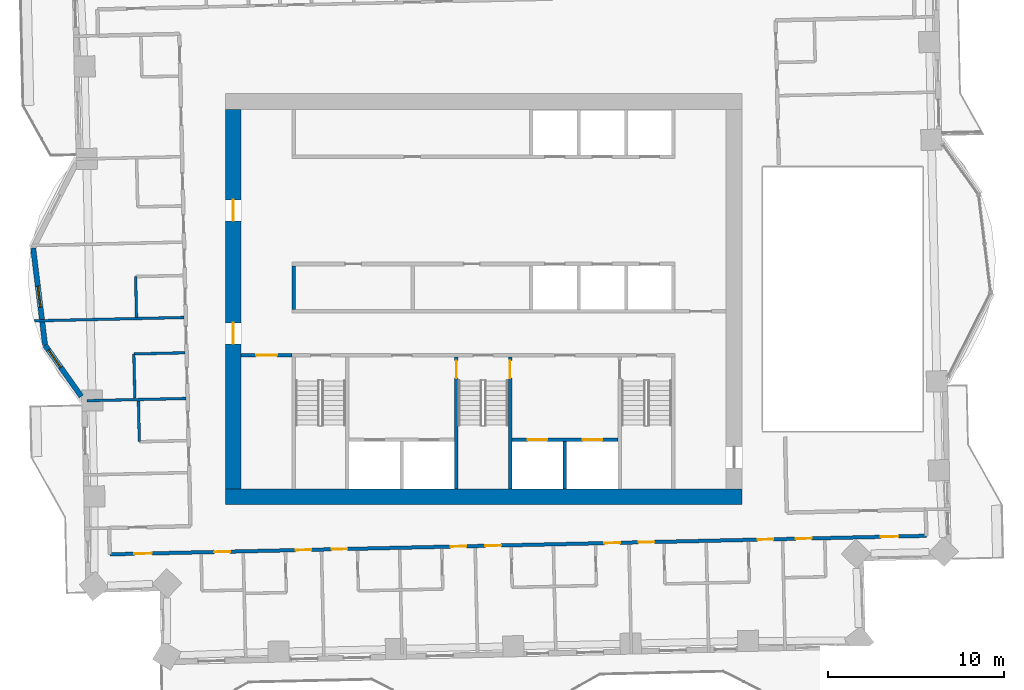
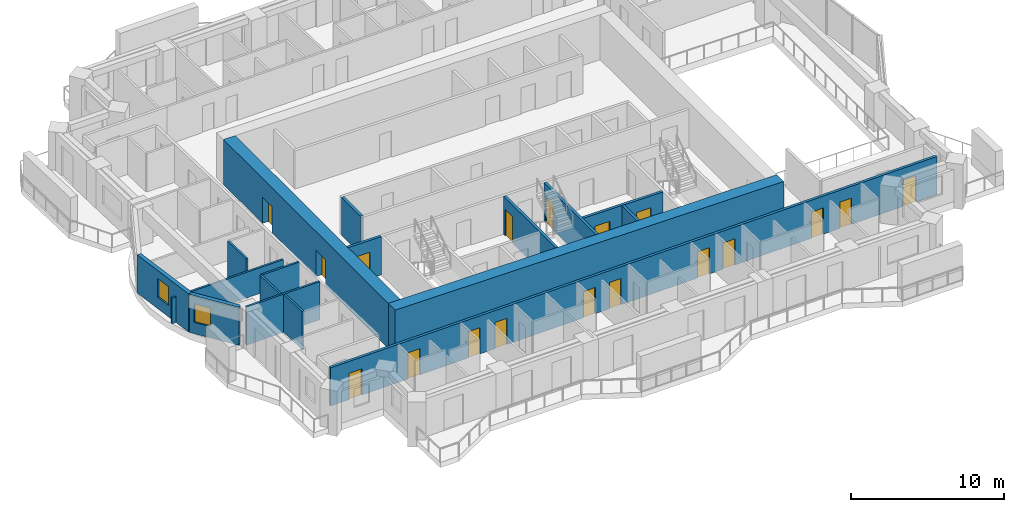
# One storey, part 5 of 14: 18 doors, 17 walls, 2 windows, 20 openings.
"""IFC4 building model written with IfcOpenShell, lengths in metres."""

from ifc_helpers import new_model, si_unit, direction, frame, frame_2d, origin, place, context, subcontext, project, spatial, rectangle, extrude, material, layer, layer_set, type_object, element, fill, save


model = new_model("IFC4")

# Units and contexts
model_context = context("Model", 3, precision=1e-05, world=origin(), true_north=direction((0.0, 1.0)))
body_context = subcontext(model_context, "Body", "Model", "MODEL_VIEW")
ifc_project = project(units=[si_unit("LENGTHUNIT", "METRE"), si_unit("AREAUNIT", "SQUARE_METRE"), si_unit("VOLUMEUNIT", "CUBIC_METRE"), si_unit("PLANEANGLEUNIT", "RADIAN"), si_unit("MASSUNIT", "GRAM", prefix="KILO")], contexts=[model_context])

# Site, building, storey
site_placement = place(None, origin())
site = spatial("IfcSite", under=ifc_project, at=site_placement, CompositionType="ELEMENT")
building_placement = place(site_placement, origin())
building = spatial("IfcBuilding", under=site, at=building_placement, Name="Mangrove Gate Tower", CompositionType="ELEMENT")
storey_placement = place(building_placement, frame((0.0, 0.0, 186.10009765625)))
storey = spatial("IfcBuildingStorey", under=building, at=storey_placement, Name="L47", CompositionType="ELEMENT", Elevation=186.10009765625)

# Wall, opening, door
ifc_material_1 = material(Name="Concrete C32/40", Category="concrete")
ifc_layer_1 = layer(ifc_material_1, 0.199951171875)
ifc_layer_set_1 = layer_set([ifc_layer_1], Name="Core lobby wall 200 C32/40")
wall_type_1 = type_object("IfcWallType", Name="Core lobby wall 200 C32/40", PredefinedType="STANDARD", material=ifc_layer_set_1)
wall_1_placement = place(storey_placement, frame((-13.800048828125, -3.199951171875, 0.0), z_axis=(0.0, 0.0, 1.0), x_axis=(1.0, 0.0, 0.0)))
wall_1 = element("IfcWall", 1, at=wall_1_placement, inside=storey, type_object=wall_type_1, Name="WALL-L47-CORE-30", PredefinedType="STANDARD", context=body_context, shape_type="SweptSolid", body=[
    extrude(rectangle(XDim=2.900146484375, YDim=0.199951171875, at=frame_2d((1.4501953125, 0.0))), origin(), (0.0, 0.0, 1.0), 3.0498046875),
])
opening_1_placement = place(wall_1_placement, frame((0.85009765625, 0.0, 0.0)))
opening_1 = element("IfcOpeningElement", 2, at=opening_1_placement, cuts=wall_1, Name="Opening FL12", PredefinedType="OPENING", context=body_context, shape_type="SweptSolid", body=[
    extrude(rectangle(XDim=1.199951171875, YDim=2.10009765625, at=frame_2d((0.60009765625, 1.050048828125))), frame((0.0, 0.10986328125, 0.0), z_axis=(0.0, -1.0, 0.0), x_axis=(1.0, 0.0, 0.0)), (0.0, 0.0, 1.0), 0.219970703125),
])
ifc_material_2 = material(Name="Fire-rated steel door set", Category="steel")
door_type_1 = type_object("IfcDoorType", Name="Lobby door FD60 1200x2100", OperationType="SINGLE_SWING_LEFT", PredefinedType="DOOR", material=ifc_material_2)
door_1_placement = place(opening_1_placement, origin())
door_1 = element("IfcDoor", 3, at=door_1_placement, inside=storey, type_object=door_type_1, Name="Lobby door core corridor W partition", OperationType="SINGLE_SWING_LEFT", OverallHeight=2.10009765625, OverallWidth=1.199951171875, PredefinedType="DOOR", context=body_context, shape_type="SweptSolid", body=[
    extrude(rectangle(XDim=1.199951171875, YDim=2.10009765625, at=frame_2d((0.60009765625, 1.050048828125))), frame((0.0, 0.02490234375, 0.0), z_axis=(0.0, -1.0, 0.0), x_axis=(1.0, 0.0, 0.0)), (0.0, 0.0, 1.0), 0.050048828125),
])
fill(opening_1, door_1)

# Wall
ifc_material_3 = material(Name="Concrete C32/40", Category="concrete")
ifc_layer_2 = layer(ifc_material_3, 0.199951171875)
ifc_layer_set_2 = layer_set([ifc_layer_2], Name="Core room wall 200 C32/40")
wall_type_2 = type_object("IfcWallType", Name="Core room wall 200 C32/40", PredefinedType="STANDARD", material=ifc_layer_set_2)
wall_2_placement = place(storey_placement, frame((-10.800048828125, -0.60009765625, 0.0), z_axis=(0.0, 0.0, 1.0), x_axis=(0.0, 1.0, 0.0)))
element("IfcWall", 4, at=wall_2_placement, inside=storey, type_object=wall_type_2, Name="WALL-L47-CORE-19", PredefinedType="STANDARD", context=body_context, shape_type="SweptSolid", body=[
    extrude(rectangle(XDim=2.5, YDim=0.199951171875, at=frame_2d((1.25, 0.0))), origin(), (0.0, 0.0, 1.0), 3.0498046875),
])

# Wall, openings, doors
ifc_material_4 = material(Name="Concrete C60/75", Category="concrete")
ifc_layer_3 = layer(ifc_material_4, 0.199951171875)
ifc_layer_set_3 = layer_set([ifc_layer_3], Name="Core shaft wall 200 C60/75")
wall_type_3 = type_object("IfcWallType", Name="Core shaft wall 200 C60/75", PredefinedType="SHEAR", material=ifc_layer_set_3)
wall_3_placement = place(storey_placement, frame((1.60009765625, -8.0, 0.0), z_axis=(0.0, 0.0, 1.0), x_axis=(1.0, 0.0, 0.0)))
wall_3 = element("IfcWall", 5, at=wall_3_placement, inside=storey, type_object=wall_type_3, Name="WALL-L47-CORE-17", PredefinedType="SHEAR", context=body_context, shape_type="SweptSolid", body=[
    extrude(rectangle(XDim=6.0498046875, YDim=0.199951171875, at=frame_2d((3.02490234375, 0.0))), origin(), (0.0, 0.0, 1.0), 3.0498046875),
])
opening_2_placement = place(wall_3_placement, frame((0.91259765625, 0.0, 0.0)))
opening_2 = element("IfcOpeningElement", 6, at=opening_2_placement, cuts=wall_3, Name="Opening LD", PredefinedType="OPENING", context=body_context, shape_type="SweptSolid", body=[
    extrude(rectangle(XDim=1.10009765625, YDim=2.10009765625, at=frame_2d((0.550048828125, 1.050048828125))), frame((0.0, 0.10986328125, 0.0), z_axis=(0.0, -1.0, 0.0), x_axis=(1.0, 0.0, 0.0)), (0.0, 0.0, 1.0), 0.219970703125),
])
opening_3_placement = place(wall_3_placement, frame((4.03759765625, 0.0, 0.0)))
opening_3 = element("IfcOpeningElement", 7, at=opening_3_placement, cuts=wall_3, Name="Opening LD", PredefinedType="OPENING", context=body_context, shape_type="SweptSolid", body=[
    extrude(rectangle(XDim=1.10009765625, YDim=2.10009765625, at=frame_2d((0.550048828125, 1.050048828125))), frame((0.0, 0.10986328125, 0.0), z_axis=(0.0, -1.0, 0.0), x_axis=(1.0, 0.0, 0.0)), (0.0, 0.0, 1.0), 0.219970703125),
])
ifc_material_5 = material(Name="Stainless steel 316", Category="steel")
door_type_2 = type_object("IfcDoorType", Name="Lift landing door 1100x2100", OperationType="SLIDING_TO_LEFT", PredefinedType="DOOR", material=ifc_material_5)
door_2_placement = place(opening_2_placement, origin())
door_2 = element("IfcDoor", 8, at=door_2_placement, inside=storey, type_object=door_type_2, Name="Landing door LD FFL1", OperationType="SLIDING_TO_LEFT", OverallHeight=2.10009765625, OverallWidth=1.10009765625, PredefinedType="DOOR", context=body_context, shape_type="SweptSolid", body=[
    extrude(rectangle(XDim=1.10009765625, YDim=2.10009765625, at=frame_2d((0.550048828125, 1.050048828125))), frame((0.0, 0.02490234375, 0.0), z_axis=(0.0, -1.0, 0.0), x_axis=(1.0, 0.0, 0.0)), (0.0, 0.0, 1.0), 0.050048828125),
])
fill(opening_2, door_2)
door_3_placement = place(opening_3_placement, origin())
door_3 = element("IfcDoor", 9, at=door_3_placement, inside=storey, type_object=door_type_2, Name="Landing door LD FFL2", OperationType="SLIDING_TO_LEFT", OverallHeight=2.10009765625, OverallWidth=1.10009765625, PredefinedType="DOOR", context=body_context, shape_type="SweptSolid", body=[
    extrude(rectangle(XDim=1.10009765625, YDim=2.10009765625, at=frame_2d((0.550048828125, 1.050048828125))), frame((0.0, 0.02490234375, 0.0), z_axis=(0.0, -1.0, 0.0), x_axis=(1.0, 0.0, 0.0)), (0.0, 0.0, 1.0), 0.050048828125),
])
fill(opening_3, door_3)

# Wall
wall_4_placement = place(storey_placement, frame((4.625, -10.800048828125, 0.0), z_axis=(0.0, 0.0, 1.0), x_axis=(0.0, 1.0, 0.0)))
element("IfcWall", 10, at=wall_4_placement, inside=storey, type_object=wall_type_3, Name="WALL-L47-CORE-18", PredefinedType="SHEAR", context=body_context, shape_type="SweptSolid", body=[
    extrude(rectangle(XDim=2.699951171875, YDim=0.199951171875, at=frame_2d((1.35009765625, 0.0))), origin(), (0.0, 0.0, 1.0), 3.0498046875),
])

# Wall, opening, door
ifc_material_6 = material(Name="Concrete C60/75", Category="concrete")
ifc_layer_4 = layer(ifc_material_6, 0.199951171875)
ifc_layer_set_4 = layer_set([ifc_layer_4], Name="Core stair wall 200 C60/75")
wall_type_4 = type_object("IfcWallType", Name="Core stair wall 200 C60/75", PredefinedType="SHEAR", material=ifc_layer_set_4)
wall_5_placement = place(storey_placement, frame((-1.550048828125, -10.800048828125, 0.0), z_axis=(0.0, 0.0, 1.0), x_axis=(0.0, 1.0, 0.0)))
wall_5 = element("IfcWall", 11, at=wall_5_placement, inside=storey, type_object=wall_type_4, Name="WALL-L47-CORE-11", PredefinedType="SHEAR", context=body_context, shape_type="SweptSolid", body=[
    extrude(rectangle(XDim=7.5, YDim=0.199951171875, at=frame_2d((3.75, 0.0))), origin(), (0.0, 0.0, 1.0), 3.0498046875),
])
opening_4_placement = place(wall_5_placement, frame((6.300048828125, 0.0, 0.0)))
opening_4 = element("IfcOpeningElement", 12, at=opening_4_placement, cuts=wall_5, Name="Opening STD10", PredefinedType="OPENING", context=body_context, shape_type="SweptSolid", body=[
    extrude(rectangle(XDim=1.0, YDim=2.10009765625, at=frame_2d((0.5, 1.050048828125))), frame((0.0, 0.10986328125, 0.0), z_axis=(0.0, -1.0, 0.0), x_axis=(1.0, 0.0, 0.0)), (0.0, 0.0, 1.0), 0.219970703125),
])
ifc_material_7 = material(Name="Fire-rated steel door set", Category="steel")
door_type_3 = type_object("IfcDoorType", Name="Stair door FD60 1000x2100", OperationType="SINGLE_SWING_RIGHT", PredefinedType="DOOR", material=ifc_material_7)
door_4_placement = place(opening_4_placement, origin())
door_4 = element("IfcDoor", 13, at=door_4_placement, inside=storey, type_object=door_type_3, Name="Stair door Stair 2 from service lobby", OperationType="SINGLE_SWING_RIGHT", OverallHeight=2.10009765625, OverallWidth=1.0, PredefinedType="DOOR", context=body_context, shape_type="SweptSolid", body=[
    extrude(rectangle(XDim=1.0, YDim=2.10009765625, at=frame_2d((0.5, 1.050048828125))), frame((0.0, 0.02490234375, 0.0), z_axis=(0.0, -1.0, 0.0), x_axis=(1.0, 0.0, 0.0)), (0.0, 0.0, 1.0), 0.050048828125),
])
fill(opening_4, door_4)

wall_6_placement = place(storey_placement, frame((1.5, -10.800048828125, 0.0), z_axis=(0.0, 0.0, 1.0), x_axis=(0.0, 1.0, 0.0)))
wall_6 = element("IfcWall", 14, at=wall_6_placement, inside=storey, type_object=wall_type_4, Name="WALL-L47-CORE-12", PredefinedType="SHEAR", context=body_context, shape_type="SweptSolid", body=[
    extrude(rectangle(XDim=7.5, YDim=0.199951171875, at=frame_2d((3.75, 0.0))), origin(), (0.0, 0.0, 1.0), 3.0498046875),
])
opening_5_placement = place(wall_6_placement, frame((6.300048828125, 0.0, 0.0)))
opening_5 = element("IfcOpeningElement", 15, at=opening_5_placement, cuts=wall_6, Name="Opening STD10", PredefinedType="OPENING", context=body_context, shape_type="SweptSolid", body=[
    extrude(rectangle(XDim=1.0, YDim=2.10009765625, at=frame_2d((0.5, 1.050048828125))), frame((0.0, 0.10986328125, 0.0), z_axis=(0.0, -1.0, 0.0), x_axis=(1.0, 0.0, 0.0)), (0.0, 0.0, 1.0), 0.219970703125),
])
door_5_placement = place(opening_5_placement, origin())
door_5 = element("IfcDoor", 16, at=door_5_placement, inside=storey, type_object=door_type_3, Name="Stair door Stair 2 from fire-fighting lobby", OperationType="SINGLE_SWING_RIGHT", OverallHeight=2.10009765625, OverallWidth=1.0, PredefinedType="DOOR", context=body_context, shape_type="SweptSolid", body=[
    extrude(rectangle(XDim=1.0, YDim=2.10009765625, at=frame_2d((0.5, 1.050048828125))), frame((0.0, 0.02490234375, 0.0), z_axis=(0.0, -1.0, 0.0), x_axis=(1.0, 0.0, 0.0)), (0.0, 0.0, 1.0), 0.050048828125),
])
fill(opening_5, door_5)

# Wall
ifc_material_8 = material(Name="Concrete C60/75", Category="concrete")
ifc_layer_5 = layer(ifc_material_8, 0.89990234375)
ifc_layer_set_5 = layer_set([ifc_layer_5], Name="Core wall 900 C60/75")
wall_type_5 = type_object("IfcWallType", Name="Core wall 900 C60/75", PredefinedType="SHEAR", material=ifc_layer_set_5)
wall_7_placement = place(storey_placement, frame((-14.699951171875, -11.25, 0.0), z_axis=(0.0, 0.0, 1.0), x_axis=(1.0, 0.0, 0.0)))
element("IfcWall", 17, at=wall_7_placement, inside=storey, type_object=wall_type_5, Name="WALL-L47-CORE-1", PredefinedType="SHEAR", context=body_context, shape_type="SweptSolid", body=[
    extrude(rectangle(XDim=29.39990234375, YDim=0.89990234375, at=frame_2d((14.699951171875, 0.0))), origin(), (0.0, 0.0, 1.0), 3.599853515625),
])

# Wall, openings, doors
wall_8_placement = place(storey_placement, frame((-14.25, -10.800048828125, 0.0), z_axis=(0.0, 0.0, 1.0), x_axis=(0.0, 1.0, 0.0)))
wall_8 = element("IfcWall", 18, at=wall_8_placement, inside=storey, type_object=wall_type_5, Name="WALL-L47-CORE-3", PredefinedType="SHEAR", context=body_context, shape_type="SweptSolid", body=[
    extrude(rectangle(XDim=21.60009765625, YDim=0.89990234375, at=frame_2d((10.800048828125, 0.0))), origin(), (0.0, 0.0, 1.0), 3.599853515625),
])
opening_6_placement = place(wall_8_placement, frame((8.25, 0.0, 0.0)))
opening_6 = element("IfcOpeningElement", 19, at=opening_6_placement, cuts=wall_8, Name="Opening CD", PredefinedType="OPENING", context=body_context, shape_type="SweptSolid", body=[
    extrude(rectangle(XDim=1.199951171875, YDim=2.10009765625, at=frame_2d((0.60009765625, 1.050048828125))), frame((0.0, 0.4599609375, 0.0), z_axis=(0.0, -1.0, 0.0), x_axis=(1.0, 0.0, 0.0)), (0.0, 0.0, 1.0), 0.919921875),
])
opening_7_placement = place(wall_8_placement, frame((15.25, 0.0, 0.0)))
opening_7 = element("IfcOpeningElement", 20, at=opening_7_placement, cuts=wall_8, Name="Opening CD", PredefinedType="OPENING", context=body_context, shape_type="SweptSolid", body=[
    extrude(rectangle(XDim=1.199951171875, YDim=2.10009765625, at=frame_2d((0.60009765625, 1.050048828125))), frame((0.0, 0.4599609375, 0.0), z_axis=(0.0, -1.0, 0.0), x_axis=(1.0, 0.0, 0.0)), (0.0, 0.0, 1.0), 0.919921875),
])
ifc_material_9 = material(Name="Fire-rated steel door set", Category="steel")
door_type_4 = type_object("IfcDoorType", Name="Core ring door FD60 1200x2100", OperationType="DOUBLE_DOOR_SINGLE_SWING", PredefinedType="DOOR", material=ifc_material_9)
door_6_placement = place(opening_6_placement, origin())
door_6 = element("IfcDoor", 21, at=door_6_placement, inside=storey, type_object=door_type_4, Name="Core ring door W1", OperationType="DOUBLE_DOOR_SINGLE_SWING", OverallHeight=2.10009765625, OverallWidth=1.199951171875, PredefinedType="DOOR", context=body_context, shape_type="SweptSolid", body=[
    extrude(rectangle(XDim=1.199951171875, YDim=2.10009765625, at=frame_2d((0.60009765625, 1.050048828125))), frame((0.0, 0.02490234375, 0.0), z_axis=(0.0, -1.0, 0.0), x_axis=(1.0, 0.0, 0.0)), (0.0, 0.0, 1.0), 0.050048828125),
])
fill(opening_6, door_6)
door_7_placement = place(opening_7_placement, origin())
door_7 = element("IfcDoor", 22, at=door_7_placement, inside=storey, type_object=door_type_4, Name="Core ring door W2", OperationType="DOUBLE_DOOR_SINGLE_SWING", OverallHeight=2.10009765625, OverallWidth=1.199951171875, PredefinedType="DOOR", context=body_context, shape_type="SweptSolid", body=[
    extrude(rectangle(XDim=1.199951171875, YDim=2.10009765625, at=frame_2d((0.60009765625, 1.050048828125))), frame((0.0, 0.02490234375, 0.0), z_axis=(0.0, -1.0, 0.0), x_axis=(1.0, 0.0, 0.0)), (0.0, 0.0, 1.0), 0.050048828125),
])
fill(opening_7, door_7)

ifc_material_10 = material(Name="Gypsum board on steel stud, EI 60", Category="steel")
ifc_layer_6 = layer(ifc_material_10, 0.199951171875)
ifc_layer_set_6 = layer_set([ifc_layer_6], Name="Corridor wall EI 60")
wall_type_6 = type_object("IfcWallType", Name="Corridor wall EI 60", PredefinedType="PARTITIONING", material=ifc_layer_set_6)
wall_9_placement = place(storey_placement, frame((-21.279052734375, -14.52294921875, 0.0), z_axis=(0.0, 0.0, 1.0), x_axis=(0.999742878501, 0.022675468818, 0.0)))
wall_9 = element("IfcWall", 23, at=wall_9_placement, inside=storey, type_object=wall_type_6, Name="WALL-L47-024", PredefinedType="PARTITIONING", context=body_context, shape_type="SweptSolid", body=[
    extrude(rectangle(XDim=46.47998046875, YDim=0.199951171875, at=frame_2d((23.239990234375, 0.0))), origin(), (0.0, 0.0, 1.0), 3.0498046875),
])
opening_8_placement = place(wall_9_placement, frame((1.39990234375, 0.0, 0.0)))
opening_8 = element("IfcOpeningElement", 24, at=opening_8_placement, cuts=wall_9, Name="Opening AD", PredefinedType="OPENING", context=body_context, shape_type="SweptSolid", body=[
    extrude(rectangle(XDim=1.0, YDim=2.10009765625, at=frame_2d((0.5, 1.050048828125))), frame((0.0, 0.10986328125, 0.0), z_axis=(0.0, -1.0, 0.0), x_axis=(1.0, 0.0, 0.0)), (0.0, 0.0, 1.0), 0.219970703125),
])
opening_9_placement = place(wall_9_placement, frame((5.949951171875, 0.0, 0.0)))
opening_9 = element("IfcOpeningElement", 25, at=opening_9_placement, cuts=wall_9, Name="Opening SD", PredefinedType="OPENING", context=body_context, shape_type="SweptSolid", body=[
    extrude(rectangle(XDim=0.89990234375, YDim=2.10009765625, at=frame_2d((0.449951171875, 1.050048828125))), frame((0.0, 0.10986328125, 0.0), z_axis=(0.0, -1.0, 0.0), x_axis=(1.0, 0.0, 0.0)), (0.0, 0.0, 1.0), 0.219970703125),
])
opening_10_placement = place(wall_9_placement, frame((10.574951171875, 0.0, 0.0)))
opening_10 = element("IfcOpeningElement", 26, at=opening_10_placement, cuts=wall_9, Name="Opening BD", PredefinedType="OPENING", context=body_context, shape_type="SweptSolid", body=[
    extrude(rectangle(XDim=0.89990234375, YDim=2.10009765625, at=frame_2d((0.449951171875, 1.050048828125))), frame((0.0, 0.10986328125, 0.0), z_axis=(0.0, -1.0, 0.0), x_axis=(1.0, 0.0, 0.0)), (0.0, 0.0, 1.0), 0.219970703125),
])
opening_11_placement = place(wall_9_placement, frame((12.625, 0.0, 0.0)))
opening_11 = element("IfcOpeningElement", 27, at=opening_11_placement, cuts=wall_9, Name="Opening BD", PredefinedType="OPENING", context=body_context, shape_type="SweptSolid", body=[
    extrude(rectangle(XDim=0.89990234375, YDim=2.10009765625, at=frame_2d((0.449951171875, 1.050048828125))), frame((0.0, 0.10986328125, 0.0), z_axis=(0.0, -1.0, 0.0), x_axis=(1.0, 0.0, 0.0)), (0.0, 0.0, 1.0), 0.219970703125),
])
opening_12_placement = place(wall_9_placement, frame((19.39990234375, 0.0, 0.0)))
opening_12 = element("IfcOpeningElement", 28, at=opening_12_placement, cuts=wall_9, Name="Opening BD", PredefinedType="OPENING", context=body_context, shape_type="SweptSolid", body=[
    extrude(rectangle(XDim=0.89990234375, YDim=2.10009765625, at=frame_2d((0.449951171875, 1.050048828125))), frame((0.0, 0.10986328125, 0.0), z_axis=(0.0, -1.0, 0.0), x_axis=(1.0, 0.0, 0.0)), (0.0, 0.0, 1.0), 0.219970703125),
])
opening_13_placement = place(wall_9_placement, frame((21.375, 0.0, 0.0)))
opening_13 = element("IfcOpeningElement", 29, at=opening_13_placement, cuts=wall_9, Name="Opening BD", PredefinedType="OPENING", context=body_context, shape_type="SweptSolid", body=[
    extrude(rectangle(XDim=0.89990234375, YDim=2.10009765625, at=frame_2d((0.449951171875, 1.050048828125))), frame((0.0, 0.10986328125, 0.0), z_axis=(0.0, -1.0, 0.0), x_axis=(1.0, 0.0, 0.0)), (0.0, 0.0, 1.0), 0.219970703125),
])
opening_14_placement = place(wall_9_placement, frame((28.14990234375, 0.0, 0.0)))
opening_14 = element("IfcOpeningElement", 30, at=opening_14_placement, cuts=wall_9, Name="Opening BD", PredefinedType="OPENING", context=body_context, shape_type="SweptSolid", body=[
    extrude(rectangle(XDim=0.89990234375, YDim=2.10009765625, at=frame_2d((0.449951171875, 1.050048828125))), frame((0.0, 0.10986328125, 0.0), z_axis=(0.0, -1.0, 0.0), x_axis=(1.0, 0.0, 0.0)), (0.0, 0.0, 1.0), 0.219970703125),
])
opening_15_placement = place(wall_9_placement, frame((30.10009765625, 0.0, 0.0)))
opening_15 = element("IfcOpeningElement", 31, at=opening_15_placement, cuts=wall_9, Name="Opening BD", PredefinedType="OPENING", context=body_context, shape_type="SweptSolid", body=[
    extrude(rectangle(XDim=0.89990234375, YDim=2.10009765625, at=frame_2d((0.449951171875, 1.050048828125))), frame((0.0, 0.10986328125, 0.0), z_axis=(0.0, -1.0, 0.0), x_axis=(1.0, 0.0, 0.0)), (0.0, 0.0, 1.0), 0.219970703125),
])
opening_16_placement = place(wall_9_placement, frame((36.875, 0.0, 0.0)))
opening_16 = element("IfcOpeningElement", 32, at=opening_16_placement, cuts=wall_9, Name="Opening BD", PredefinedType="OPENING", context=body_context, shape_type="SweptSolid", body=[
    extrude(rectangle(XDim=0.89990234375, YDim=2.10009765625, at=frame_2d((0.449951171875, 1.050048828125))), frame((0.0, 0.10986328125, 0.0), z_axis=(0.0, -1.0, 0.0), x_axis=(1.0, 0.0, 0.0)), (0.0, 0.0, 1.0), 0.219970703125),
])
opening_17_placement = place(wall_9_placement, frame((43.889892578125, 0.0, 0.0)))
opening_17 = element("IfcOpeningElement", 33, at=opening_17_placement, cuts=wall_9, Name="Opening AD", PredefinedType="OPENING", context=body_context, shape_type="SweptSolid", body=[
    extrude(rectangle(XDim=1.0, YDim=2.10009765625, at=frame_2d((0.5, 1.050048828125))), frame((0.0, 0.10986328125, 0.0), z_axis=(0.0, -1.0, 0.0), x_axis=(1.0, 0.0, 0.0)), (0.0, 0.0, 1.0), 0.219970703125),
])
opening_18_placement = place(wall_9_placement, frame((39.050048828125, 0.0, 0.0)))
opening_18 = element("IfcOpeningElement", 34, at=opening_18_placement, cuts=wall_9, Name="Opening SD", PredefinedType="OPENING", context=body_context, shape_type="SweptSolid", body=[
    extrude(rectangle(XDim=0.89990234375, YDim=2.10009765625, at=frame_2d((0.449951171875, 1.050048828125))), frame((0.0, 0.10986328125, 0.0), z_axis=(0.0, -1.0, 0.0), x_axis=(1.0, 0.0, 0.0)), (0.0, 0.0, 1.0), 0.219970703125),
])
ifc_material_11 = material(Name="Timber door leaf", Category="wood")
door_type_5 = type_object("IfcDoorType", Name="Amenity door 1000", OperationType="SINGLE_SWING_LEFT", PredefinedType="DOOR", material=ifc_material_11)
door_8_placement = place(opening_8_placement, origin())
door_8 = element("IfcDoor", 35, at=door_8_placement, inside=storey, type_object=door_type_5, Name="DOOR-L47-KIT-c1a", OperationType="SINGLE_SWING_LEFT", OverallHeight=2.10009765625, OverallWidth=1.0, PredefinedType="DOOR", context=body_context, shape_type="SweptSolid", body=[
    extrude(rectangle(XDim=1.0, YDim=2.10009765625, at=frame_2d((0.5, 1.050048828125))), frame((0.0, 0.02490234375, 0.0), z_axis=(0.0, -1.0, 0.0), x_axis=(1.0, 0.0, 0.0)), (0.0, 0.0, 1.0), 0.050048828125),
])
fill(opening_8, door_8)
door_9_placement = place(opening_17_placement, origin())
door_9 = element("IfcDoor", 36, at=door_9_placement, inside=storey, type_object=door_type_5, Name="DOOR-L47-KIT-c3a", OperationType="SINGLE_SWING_RIGHT", OverallHeight=2.10009765625, OverallWidth=1.0, PredefinedType="DOOR", context=body_context, shape_type="SweptSolid", body=[
    extrude(rectangle(XDim=1.0, YDim=2.10009765625, at=frame_2d((0.5, 1.050048828125))), frame((0.0, 0.02490234375, 0.0), z_axis=(0.0, -1.0, 0.0), x_axis=(1.0, 0.0, 0.0)), (0.0, 0.0, 1.0), 0.050048828125),
])
fill(opening_17, door_9)
ifc_material_12 = material(Name="Timber door leaf", Category="wood")
door_type_6 = type_object("IfcDoorType", Name="Bedroom door 900", OperationType="SINGLE_SWING_LEFT", PredefinedType="DOOR", material=ifc_material_12)
door_10_placement = place(opening_10_placement, origin())
door_10 = element("IfcDoor", 37, at=door_10_placement, inside=storey, type_object=door_type_6, Name="DOOR-L47-BED-c101", OperationType="SINGLE_SWING_LEFT", OverallHeight=2.10009765625, OverallWidth=0.89990234375, PredefinedType="DOOR", context=body_context, shape_type="SweptSolid", body=[
    extrude(rectangle(XDim=0.89990234375, YDim=2.10009765625, at=frame_2d((0.449951171875, 1.050048828125))), frame((0.0, 0.02490234375, 0.0), z_axis=(0.0, -1.0, 0.0), x_axis=(1.0, 0.0, 0.0)), (0.0, 0.0, 1.0), 0.050048828125),
])
fill(opening_10, door_10)
door_11_placement = place(opening_11_placement, origin())
door_11 = element("IfcDoor", 38, at=door_11_placement, inside=storey, type_object=door_type_6, Name="DOOR-L47-BED-c102", OperationType="SINGLE_SWING_RIGHT", OverallHeight=2.10009765625, OverallWidth=0.89990234375, PredefinedType="DOOR", context=body_context, shape_type="SweptSolid", body=[
    extrude(rectangle(XDim=0.89990234375, YDim=2.10009765625, at=frame_2d((0.449951171875, 1.050048828125))), frame((0.0, 0.02490234375, 0.0), z_axis=(0.0, -1.0, 0.0), x_axis=(1.0, 0.0, 0.0)), (0.0, 0.0, 1.0), 0.050048828125),
])
fill(opening_11, door_11)
door_12_placement = place(opening_12_placement, origin())
door_12 = element("IfcDoor", 39, at=door_12_placement, inside=storey, type_object=door_type_6, Name="DOOR-L47-BED-c103", OperationType="SINGLE_SWING_LEFT", OverallHeight=2.10009765625, OverallWidth=0.89990234375, PredefinedType="DOOR", context=body_context, shape_type="SweptSolid", body=[
    extrude(rectangle(XDim=0.89990234375, YDim=2.10009765625, at=frame_2d((0.449951171875, 1.050048828125))), frame((0.0, 0.02490234375, 0.0), z_axis=(0.0, -1.0, 0.0), x_axis=(1.0, 0.0, 0.0)), (0.0, 0.0, 1.0), 0.050048828125),
])
fill(opening_12, door_12)
door_13_placement = place(opening_13_placement, origin())
door_13 = element("IfcDoor", 40, at=door_13_placement, inside=storey, type_object=door_type_6, Name="DOOR-L47-BED-c204", OperationType="SINGLE_SWING_RIGHT", OverallHeight=2.10009765625, OverallWidth=0.89990234375, PredefinedType="DOOR", context=body_context, shape_type="SweptSolid", body=[
    extrude(rectangle(XDim=0.89990234375, YDim=2.10009765625, at=frame_2d((0.449951171875, 1.050048828125))), frame((0.0, 0.02490234375, 0.0), z_axis=(0.0, -1.0, 0.0), x_axis=(1.0, 0.0, 0.0)), (0.0, 0.0, 1.0), 0.050048828125),
])
fill(opening_13, door_13)
door_14_placement = place(opening_14_placement, origin())
door_14 = element("IfcDoor", 41, at=door_14_placement, inside=storey, type_object=door_type_6, Name="DOOR-L47-BED-c205", OperationType="SINGLE_SWING_LEFT", OverallHeight=2.10009765625, OverallWidth=0.89990234375, PredefinedType="DOOR", context=body_context, shape_type="SweptSolid", body=[
    extrude(rectangle(XDim=0.89990234375, YDim=2.10009765625, at=frame_2d((0.449951171875, 1.050048828125))), frame((0.0, 0.02490234375, 0.0), z_axis=(0.0, -1.0, 0.0), x_axis=(1.0, 0.0, 0.0)), (0.0, 0.0, 1.0), 0.050048828125),
])
fill(opening_14, door_14)
door_15_placement = place(opening_15_placement, origin())
door_15 = element("IfcDoor", 42, at=door_15_placement, inside=storey, type_object=door_type_6, Name="DOOR-L47-BED-c206", OperationType="SINGLE_SWING_RIGHT", OverallHeight=2.10009765625, OverallWidth=0.89990234375, PredefinedType="DOOR", context=body_context, shape_type="SweptSolid", body=[
    extrude(rectangle(XDim=0.89990234375, YDim=2.10009765625, at=frame_2d((0.449951171875, 1.050048828125))), frame((0.0, 0.02490234375, 0.0), z_axis=(0.0, -1.0, 0.0), x_axis=(1.0, 0.0, 0.0)), (0.0, 0.0, 1.0), 0.050048828125),
])
fill(opening_15, door_15)
door_16_placement = place(opening_16_placement, origin())
door_16 = element("IfcDoor", 43, at=door_16_placement, inside=storey, type_object=door_type_6, Name="DOOR-L47-BED-c307", OperationType="SINGLE_SWING_LEFT", OverallHeight=2.10009765625, OverallWidth=0.89990234375, PredefinedType="DOOR", context=body_context, shape_type="SweptSolid", body=[
    extrude(rectangle(XDim=0.89990234375, YDim=2.10009765625, at=frame_2d((0.449951171875, 1.050048828125))), frame((0.0, 0.02490234375, 0.0), z_axis=(0.0, -1.0, 0.0), x_axis=(1.0, 0.0, 0.0)), (0.0, 0.0, 1.0), 0.050048828125),
])
fill(opening_16, door_16)
ifc_material_13 = material(Name="Timber door leaf", Category="wood")
door_type_7 = type_object("IfcDoorType", Name="Service room door 900", OperationType="SINGLE_SWING_LEFT", PredefinedType="DOOR", material=ifc_material_13)
door_17_placement = place(opening_9_placement, origin())
door_17 = element("IfcDoor", 44, at=door_17_placement, inside=storey, type_object=door_type_7, Name="DOOR-L47-LIN-c1a", OperationType="SINGLE_SWING_LEFT", OverallHeight=2.10009765625, OverallWidth=0.89990234375, PredefinedType="DOOR", context=body_context, shape_type="SweptSolid", body=[
    extrude(rectangle(XDim=0.89990234375, YDim=2.10009765625, at=frame_2d((0.449951171875, 1.050048828125))), frame((0.0, 0.02490234375, 0.0), z_axis=(0.0, -1.0, 0.0), x_axis=(1.0, 0.0, 0.0)), (0.0, 0.0, 1.0), 0.050048828125),
])
fill(opening_9, door_17)
door_18_placement = place(opening_18_placement, origin())
door_18 = element("IfcDoor", 45, at=door_18_placement, inside=storey, type_object=door_type_7, Name="DOOR-L47-LIN-c3a", OperationType="SINGLE_SWING_RIGHT", OverallHeight=2.10009765625, OverallWidth=0.89990234375, PredefinedType="DOOR", context=body_context, shape_type="SweptSolid", body=[
    extrude(rectangle(XDim=0.89990234375, YDim=2.10009765625, at=frame_2d((0.449951171875, 1.050048828125))), frame((0.0, 0.02490234375, 0.0), z_axis=(0.0, -1.0, 0.0), x_axis=(1.0, 0.0, 0.0)), (0.0, 0.0, 1.0), 0.050048828125),
])
fill(opening_18, door_18)

# Wall, opening, window
ifc_material_14 = material(Name="Limestone", Category="masonry")
ifc_layer_7 = layer(ifc_material_14, 0.0400390625, Name="Limestone cladding")
ifc_material_15 = material(Name="Ventilated air gap")
ifc_layer_8 = layer(ifc_material_15, 0.0400390625, Name="Ventilated cavity")
ifc_material_16 = material(Name="Mineral wool insulation")
ifc_layer_9 = layer(ifc_material_16, 0.06005859375, Name="Insulation")
ifc_material_17 = material(Name="Breather membrane")
ifc_layer_10 = layer(ifc_material_17, 0.001953125, Name="Breather membrane")
ifc_material_18 = material(Name="Concrete C20/25 blockwork", Category="masonry")
ifc_layer_11 = layer(ifc_material_18, 0.14990234375, Name="Blockwork backing wall")
ifc_material_19 = material(Name="Gypsum plaster")
ifc_layer_12 = layer(ifc_material_19, 0.008056640625, Name="Internal plaster")
ifc_layer_set_7 = layer_set([ifc_layer_7, ifc_layer_8, ifc_layer_9, ifc_layer_10, ifc_layer_11, ifc_layer_12], Name="External wall 300 limestone cladding")
wall_type_7 = type_object("IfcWallType", Name="External wall 300 limestone cladding", PredefinedType="SOLIDWALL", material=ifc_layer_set_7)
wall_10_placement = place(storey_placement, frame((-25.636962890625, 2.906005859375, 0.0), z_axis=(0.0, 0.0, 1.0), x_axis=(0.122163831021, -0.992509948761, 0.0)))
wall_10 = element("IfcWall", 46, at=wall_10_placement, inside=storey, type_object=wall_type_7, Name="WALL-L47-W9f2", PredefinedType="SOLIDWALL", context=body_context, shape_type="SweptSolid", body=[
    extrude(rectangle(XDim=5.57373046875, YDim=0.300048828125, at=frame_2d((2.786865234375, 0.0))), origin(), (0.0, 0.0, 1.0), 3.0498046875),
])
opening_19_placement = place(wall_10_placement, frame((2.18701171875, 0.0, 0.89990234375)))
opening_19 = element("IfcOpeningElement", 47, at=opening_19_placement, cuts=wall_10, Name="Opening W1", PredefinedType="OPENING", context=body_context, shape_type="SweptSolid", body=[
    extrude(rectangle(XDim=1.199951171875, YDim=1.5, at=frame_2d((0.60009765625, 0.75))), frame((0.0, 0.159912109375, 0.0), z_axis=(0.0, -1.0, 0.0), x_axis=(1.0, 0.0, 0.0)), (0.0, 0.0, 1.0), 0.320068359375),
])
ifc_material_20 = material(Name="Aluminium frame with double-glazed low-e glass", Category="aluminium")
window_type = type_object("IfcWindowType", Name="Side lite 1200x1500", PartitioningType="SINGLE_PANEL", PredefinedType="WINDOW", material=ifc_material_20)
window_1_placement = place(opening_19_placement, origin())
window_1 = element("IfcWindow", 48, at=window_1_placement, inside=storey, type_object=window_type, Name="WIN-L47-W9f2", OverallHeight=1.5, OverallWidth=1.199951171875, PartitioningType="SINGLE_PANEL", PredefinedType="WINDOW", context=body_context, shape_type="SweptSolid", body=[
    extrude(rectangle(XDim=1.199951171875, YDim=1.5, at=frame_2d((0.60009765625, 0.75))), frame((0.0, 0.030029296875, 0.0), z_axis=(0.0, -1.0, 0.0), x_axis=(1.0, 0.0, 0.0)), (0.0, 0.0, 1.0), 0.06005859375),
])
fill(opening_19, window_1)

wall_11_placement = place(storey_placement, frame((-24.9560546875, -2.6259765625, 0.0), z_axis=(0.0, 0.0, 1.0), x_axis=(0.578009745555, -0.816029861, 0.0)))
wall_11 = element("IfcWall", 49, at=wall_11_placement, inside=storey, type_object=wall_type_7, Name="WALL-L47-W9f3", PredefinedType="SOLIDWALL", context=body_context, shape_type="SweptSolid", body=[
    extrude(rectangle(XDim=3.5673828125, YDim=0.300048828125, at=frame_2d((1.78369140625, 0.0))), origin(), (0.0, 0.0, 1.0), 3.0498046875),
])
opening_20_placement = place(wall_11_placement, frame((0.337890625, 0.0, 0.89990234375)))
opening_20 = element("IfcOpeningElement", 50, at=opening_20_placement, cuts=wall_11, Name="Opening W1", PredefinedType="OPENING", context=body_context, shape_type="SweptSolid", body=[
    extrude(rectangle(XDim=1.199951171875, YDim=1.5, at=frame_2d((0.60009765625, 0.75))), frame((0.0, 0.159912109375, 0.0), z_axis=(0.0, -1.0, 0.0), x_axis=(1.0, 0.0, 0.0)), (0.0, 0.0, 1.0), 0.320068359375),
])
window_2_placement = place(opening_20_placement, origin())
window_2 = element("IfcWindow", 51, at=window_2_placement, inside=storey, type_object=window_type, Name="WIN-L47-W9f3", OverallHeight=1.5, OverallWidth=1.199951171875, PartitioningType="SINGLE_PANEL", PredefinedType="WINDOW", context=body_context, shape_type="SweptSolid", body=[
    extrude(rectangle(XDim=1.199951171875, YDim=1.5, at=frame_2d((0.60009765625, 0.75))), frame((0.0, 0.030029296875, 0.0), z_axis=(0.0, -1.0, 0.0), x_axis=(1.0, 0.0, 0.0)), (0.0, 0.0, 1.0), 0.06005859375),
])
fill(opening_20, window_2)

# Walls
ifc_material_21 = material(Name="Gypsum board on steel stud, EI 60", Category="steel")
ifc_layer_13 = layer(ifc_material_21, 0.14990234375)
ifc_layer_set_8 = layer_set([ifc_layer_13], Name="Party wall 150 EI 60")
wall_type_8 = type_object("IfcWallType", Name="Party wall 150 EI 60", PredefinedType="PARTITIONING", material=ifc_layer_set_8)
wall_12_placement = place(storey_placement, frame((-19.593994140625, -8.10791015625, 0.0), z_axis=(0.0, 0.0, 1.0), x_axis=(-0.02279059109, 0.999740260747, 0.0)))
element("IfcWall", 52, at=wall_12_placement, inside=storey, type_object=wall_type_8, Name="WALL-L47-035", PredefinedType="PARTITIONING", context=body_context, shape_type="SweptSolid", body=[
    extrude(rectangle(XDim=2.324462890625, YDim=0.14990234375, at=frame_2d((1.162109375, 0.0))), origin(), (0.0, 0.0, 1.0), 3.0498046875),
])
wall_13_placement = place(storey_placement, frame((-22.577880859375, -5.780029296875, 0.0), z_axis=(0.0, 0.0, 1.0), x_axis=(0.999746200787, 0.022528515532, 0.0)))
element("IfcWall", 53, at=wall_13_placement, inside=storey, type_object=wall_type_8, Name="WALL-L47-036", PredefinedType="PARTITIONING", context=body_context, shape_type="SweptSolid", body=[
    extrude(rectangle(XDim=5.63525390625, YDim=0.14990234375, at=frame_2d((2.817626953125, 0.0))), origin(), (0.0, 0.0, 1.0), 3.0498046875),
])
wall_14_placement = place(storey_placement, frame((-19.85009765625, -5.638916015625, 0.0), z_axis=(0.0, 0.0, 1.0), x_axis=(-0.022523775833, 0.999746307581, 0.0)))
element("IfcWall", 54, at=wall_14_placement, inside=storey, type_object=wall_type_8, Name="WALL-L47-037", PredefinedType="PARTITIONING", context=body_context, shape_type="SweptSolid", body=[
    extrude(rectangle(XDim=2.525634765625, YDim=0.14990234375, at=frame_2d((1.2626953125, 0.0))), origin(), (0.0, 0.0, 1.0), 3.0498046875),
])
wall_15_placement = place(storey_placement, frame((-19.902099609375, -3.118896484375, 0.0), z_axis=(0.0, 0.0, 1.0), x_axis=(0.999741618182, 0.022730967319, 0.0)))
element("IfcWall", 55, at=wall_15_placement, inside=storey, type_object=wall_type_8, Name="WALL-L47-038", PredefinedType="PARTITIONING", context=body_context, shape_type="SweptSolid", body=[
    extrude(rectangle(XDim=2.89990234375, YDim=0.14990234375, at=frame_2d((1.449951171875, 0.0))), origin(), (0.0, 0.0, 1.0), 3.0498046875),
])
wall_16_placement = place(storey_placement, frame((-19.7548828125, -1.034912109375, 0.0), z_axis=(0.0, 0.0, 1.0), x_axis=(-0.022370700241, 0.999749744571, 0.0)))
element("IfcWall", 56, at=wall_16_placement, inside=storey, type_object=wall_type_8, Name="WALL-L47-039", PredefinedType="PARTITIONING", context=body_context, shape_type="SweptSolid", body=[
    extrude(rectangle(XDim=2.324462890625, YDim=0.14990234375, at=frame_2d((1.162109375, 0.0))), origin(), (0.0, 0.0, 1.0), 3.0498046875),
])
wall_17_placement = place(storey_placement, frame((-25.574951171875, -1.237060546875, 0.0), z_axis=(0.0, 0.0, 1.0), x_axis=(0.999743576582, 0.022644670096, 0.0)))
element("IfcWall", 57, at=wall_17_placement, inside=storey, type_object=wall_type_8, Name="WALL-L47-040", PredefinedType="PARTITIONING", context=body_context, shape_type="SweptSolid", body=[
    extrude(rectangle(XDim=8.528076171875, YDim=0.14990234375, at=frame_2d((4.26416015625, 0.0))), origin(), (0.0, 0.0, 1.0), 2.0498046875),
])

save(model, "model.ifc")
